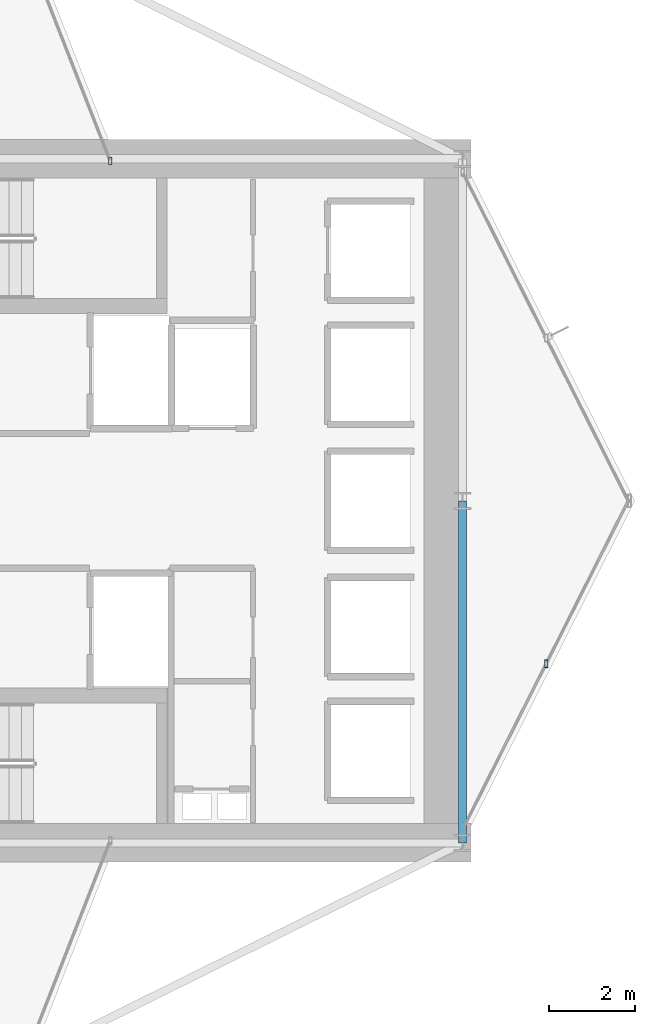
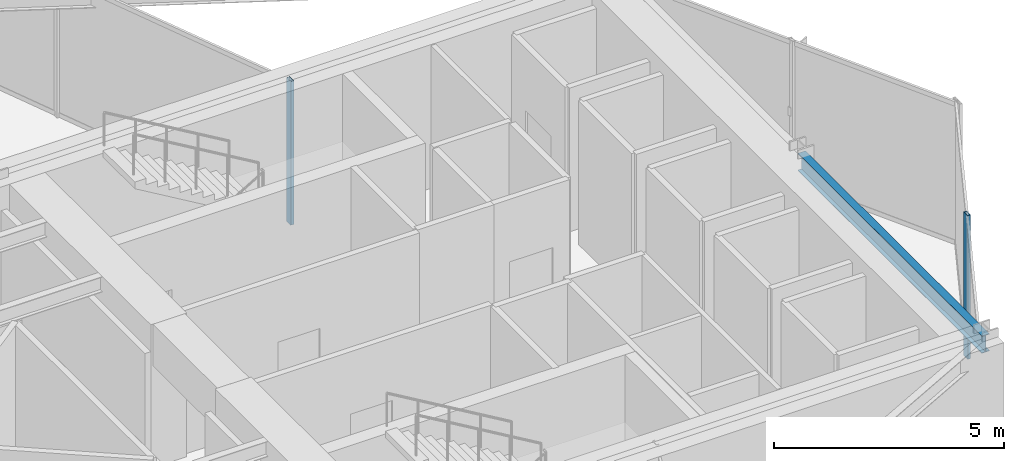
# One storey, part 18 of 30: 2 members, 1 beam, 2 elements without a shape of their own.
"""IFC4 building model written with IfcOpenShell, lengths in metres."""

from ifc_helpers import new_model, si_unit, direction, frame, origin, origin_2d, place, context, subcontext, project, spatial, hollow_rectangle, i_section, extrude, material, layer, layer_set, material_profile, profile_set, type_object, element, aggregate, save


model = new_model("IFC4")

# Units and contexts
model_context = context("Model", 3, precision=1e-05, world=origin(), true_north=direction((0.0, 1.0)))
body_context = subcontext(model_context, "Body", "Model", "MODEL_VIEW")
ifc_project = project(units=[si_unit("LENGTHUNIT", "METRE"), si_unit("AREAUNIT", "SQUARE_METRE"), si_unit("VOLUMEUNIT", "CUBIC_METRE"), si_unit("PLANEANGLEUNIT", "RADIAN"), si_unit("MASSUNIT", "GRAM", prefix="KILO")], contexts=[model_context])

# Site, building, storey
site_placement = place(None, origin())
site = spatial("IfcSite", under=ifc_project, at=site_placement, CompositionType="ELEMENT")
building_placement = place(site_placement, origin())
building = spatial("IfcBuilding", under=site, at=building_placement, Name="Veymaron Broadcast Tower", CompositionType="ELEMENT")
storey_placement = place(building_placement, frame((0.0, 0.0, 49.949951171875)))
storey = spatial("IfcBuildingStorey", under=building, at=storey_placement, Name="L10", CompositionType="ELEMENT", Elevation=49.949951171875)

# Beam
ifc_material_1 = material(Name="Structural steel ASTM A992 Gr 50", Category="steel")
ifc_material_profile_1 = material_profile(ifc_material_1, i_section(OverallWidth=0.19091796875, OverallDepth=0.4599609375, WebThickness=0.010009765625, FlangeThickness=0.01611328125, at=origin_2d()), Name="W460X82")
ifc_profile_set_1 = profile_set([ifc_material_profile_1], Name="Structural steel ASTM A992 Gr 50")
beam_type = type_object("IfcBeamType", Name="BM-SP1", PredefinedType="SPANDREL", material=ifc_profile_set_1)
beam_placement = place(storey_placement, frame((54.60009765625, 16.0, 3.580078125), z_axis=(0.0, 1.0, 0.0), x_axis=(-1.0, 0.0, 0.0)))
element("IfcBeam", 1, at=beam_placement, inside=storey, type_object=beam_type, Name="L10 primary structural floor girder", PredefinedType="SPANDREL", context=body_context, shape_type="SweptSolid", body=[
    extrude(i_section(OverallWidth=0.19091796875, OverallDepth=0.4599609375, WebThickness=0.010009765625, FlangeThickness=0.01611328125, at=origin_2d()), origin(), (0.0, 0.0, 1.0), 8.0),
])

# Curtain wall, member
ifc_material_2 = material(Name="Anodised aluminium AA 6063-T6 and laminated low-E dark glass", Category="aluminium")
ifc_layer = layer(ifc_material_2, 0.179931640625)
ifc_layer_set = layer_set([ifc_layer], Name="Anodised aluminium AA 6063-T6 and laminated low-E dark glass")
curtain_wall_type = type_object("IfcCurtainWallType", Name="CW-SYS-02", PredefinedType="NOTDEFINED", material=ifc_layer_set)
curtain_wall_1_placement = place(storey_placement, origin())
curtain_wall_1 = element("IfcCurtainWall", 2, at=curtain_wall_1_placement, inside=storey, type_object=curtain_wall_type, Name="L10 dark-glass curtain wall CW-L10-E2-1", PredefinedType="NOTDEFINED")
ifc_material_3 = material(Name="Anodised aluminium AA 6063-T6", Category="aluminium")
ifc_material_profile_2 = material_profile(ifc_material_3, hollow_rectangle(XDim=0.074951171875, YDim=0.179931640625, WallThickness=0.0048828125, at=origin_2d()), Name="AL180X75X5")
ifc_profile_set_2 = profile_set([ifc_material_profile_2], Name="Anodised aluminium AA 6063-T6")
member_type = type_object("IfcMemberType", Name="CW-MUL-02", PredefinedType="MULLION", material=ifc_profile_set_2)
member_1_placement = place(storey_placement, frame((56.555419921875, 20.19091796875, 0.0), z_axis=(0.0, 0.0, 1.0), x_axis=(1.0, 0.0, 0.0)))
member_1 = element("IfcMember", 3, at=member_1_placement, type_object=member_type, Name="CW-L10-E2-1 mullion 1", PredefinedType="MULLION", context=body_context, shape_type="SweptSolid", body=[
    extrude(hollow_rectangle(XDim=0.074951171875, YDim=0.179931640625, WallThickness=0.0048828125, at=origin_2d()), origin(), (0.0, 0.0, 1.0), 3.81005859375),
])
aggregate(curtain_wall_1, [member_1])

curtain_wall_2_placement = place(storey_placement, origin())
curtain_wall_2 = element("IfcCurtainWall", 4, at=curtain_wall_2_placement, inside=storey, type_object=curtain_wall_type, Name="L10 dark-glass curtain wall CW-L10-E5-1", PredefinedType="NOTDEFINED")
member_2_placement = place(storey_placement, frame((46.356689453125, 31.948974609375, 0.0), z_axis=(0.0, 0.0, 1.0), x_axis=(1.0, 0.0, 0.0)))
member_2 = element("IfcMember", 5, at=member_2_placement, type_object=member_type, Name="CW-L10-E5-1 mullion 0", PredefinedType="MULLION", context=body_context, shape_type="SweptSolid", body=[
    extrude(hollow_rectangle(XDim=0.074951171875, YDim=0.179931640625, WallThickness=0.0048828125, at=origin_2d()), origin(), (0.0, 0.0, 1.0), 3.81005859375),
])
aggregate(curtain_wall_2, [member_2])

save(model, "model.ifc")
